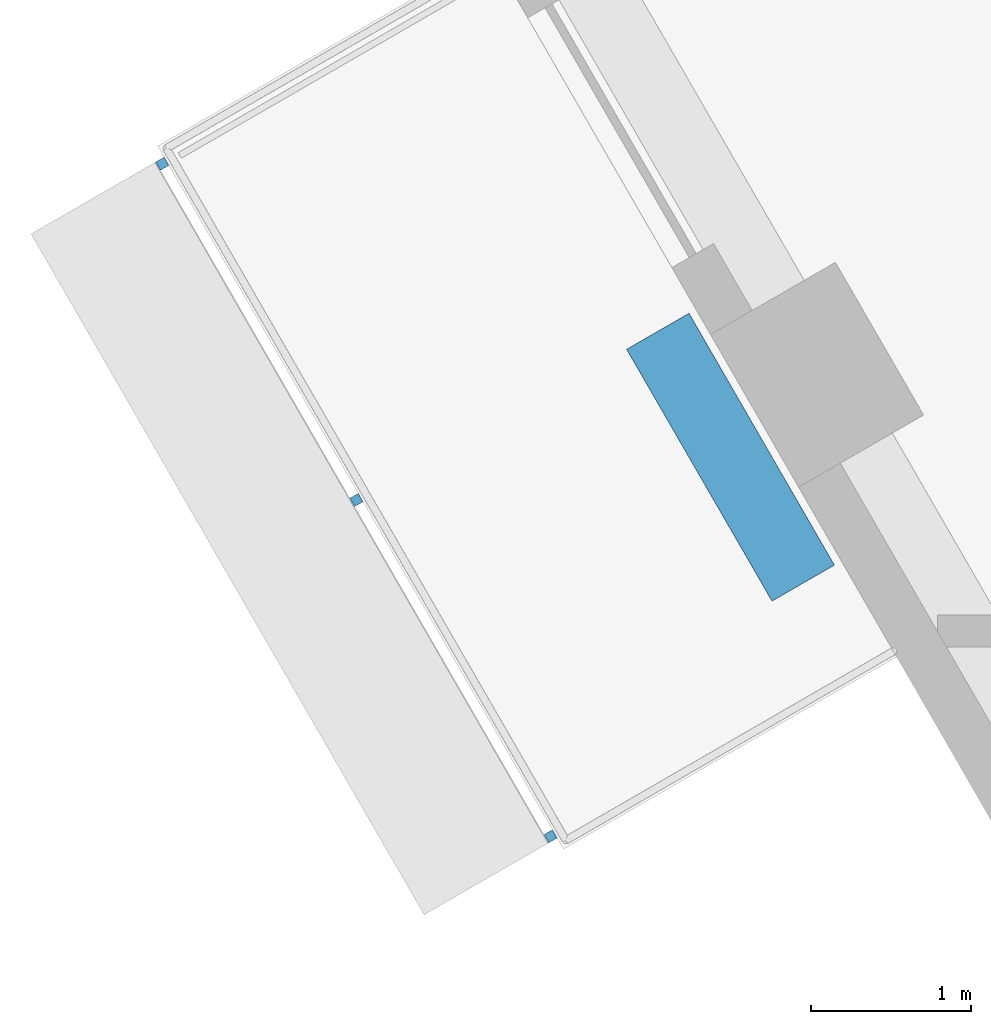
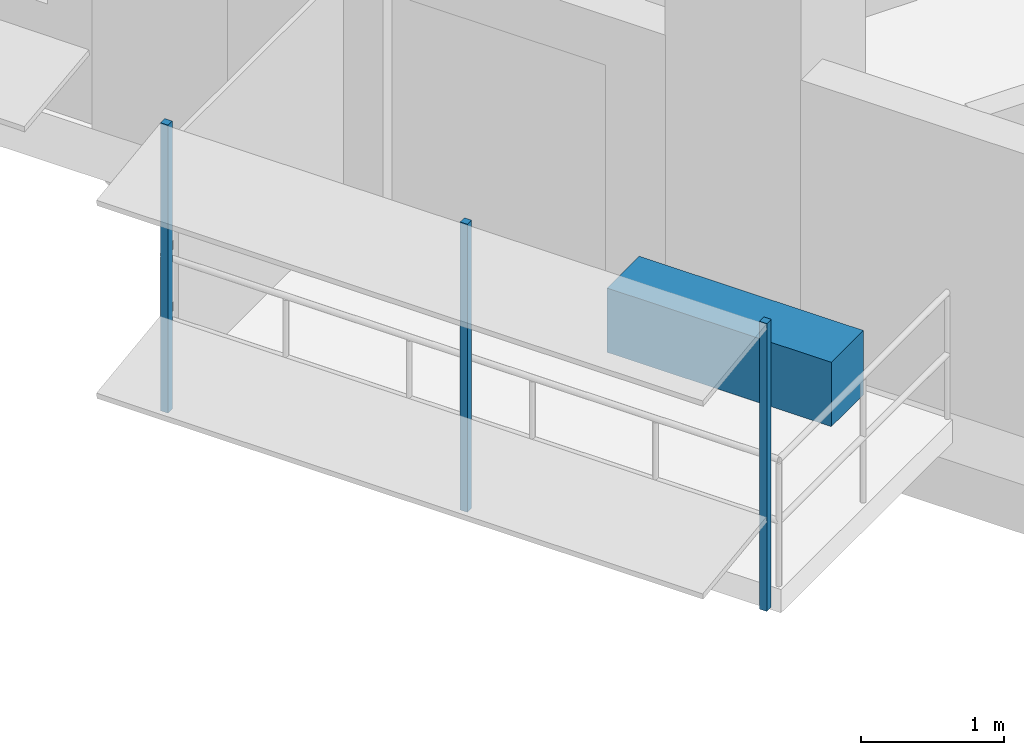
# One storey, part 10 of 16: 4 discrete accessories.
"""IFC4 building model written with IfcOpenShell, lengths in metres."""

from ifc_helpers import new_model, si_unit, direction, frame, origin, origin_2d, place, context, subcontext, project, spatial, rectangle, extrude, material, type_object, element, save


model = new_model("IFC4")

# Units and contexts
model_context = context("Model", 3, precision=1e-05, world=origin(), true_north=direction((0.0, 1.0)))
body_context = subcontext(model_context, "Body", "Model", "MODEL_VIEW")
ifc_project = project(units=[si_unit("LENGTHUNIT", "METRE"), si_unit("AREAUNIT", "SQUARE_METRE"), si_unit("VOLUMEUNIT", "CUBIC_METRE"), si_unit("PLANEANGLEUNIT", "RADIAN"), si_unit("MASSUNIT", "GRAM", prefix="KILO")], contexts=[model_context])

# Site, building, storey
site_placement = place(None, origin())
site = spatial("IfcSite", under=ifc_project, at=site_placement, CompositionType="ELEMENT")
building_placement = place(site_placement, origin())
building = spatial("IfcBuilding", under=site, at=building_placement, Name="Nakaniwa Court", CompositionType="ELEMENT")
storey_placement = place(building_placement, frame((0.0, 0.0, 226.199951171875)))
storey = spatial("IfcBuildingStorey", under=building, at=storey_placement, Name="L58", CompositionType="ELEMENT", Elevation=226.199951171875)

# Discrete accessories
ifc_material_1 = material(Name="Black powder-coated steel bracket S275", Category="steel")
discrete_accessory_type_1 = type_object("IfcDiscreteAccessoryType", Name="Black metal louvre bracket", PredefinedType="BRACKET", material=ifc_material_1)
for number, where, z_axis, x_axis, name in (
    (1, (56.774658203125, 70.0673828125, -0.229736328125), (0.0, 0.0, 1.0), (0.499986396443, -0.866033257659, 0.0), "L58 louvre bracket 01 1"),
    (2, (57.986328125, 67.968994140625, -0.229736328125), (0.0, 0.0, 1.0), (0.499986396443, -0.866033257659, 0.0), "L58 louvre bracket 01 2"),
    (3, (59.197998046875, 65.8701171875, -0.229736328125), (0.0, 0.0, 1.0), (0.499986396443, -0.866033257659, 0.0), "L58 louvre bracket 01 3"),
):
    element("IfcDiscreteAccessory", number, at=place(storey_placement, frame(where, z_axis=z_axis, x_axis=x_axis)), inside=storey, type_object=discrete_accessory_type_1, Name=name, PredefinedType="BRACKET", context=body_context, shape_type="SweptSolid", body=[
        extrude(rectangle(XDim=0.06005859375, YDim=0.06005859375, at=origin_2d()), origin(), (0.0, 0.0, 1.0), 2.46337890625),
    ])
ifc_material_2 = material(Name="Precast concrete C40/50 planter with planted soil", Category="concrete")
discrete_accessory_type_2 = type_object("IfcDiscreteAccessoryType", Name="Planter box charcoal concrete", PredefinedType="USERDEFINED", material=ifc_material_2)
discrete_accessory_placement = place(storey_placement, frame((60.320556640625, 68.23583984375, -0.0498046875), z_axis=(0.0, 0.0, 1.0), x_axis=(0.499986396443, -0.866033257659, 0.0)))
element("IfcDiscreteAccessory", 4, at=discrete_accessory_placement, inside=storey, type_object=discrete_accessory_type_2, Name="L58 balcony PLANTER 01", ObjectType="PLANTER", PredefinedType="USERDEFINED", context=body_context, shape_type="SweptSolid", body=[
    extrude(rectangle(XDim=1.814697265625, YDim=0.449951171875, at=origin_2d()), origin(), (0.0, 0.0, 1.0), 0.550048828125),
])

save(model, "model.ifc")
